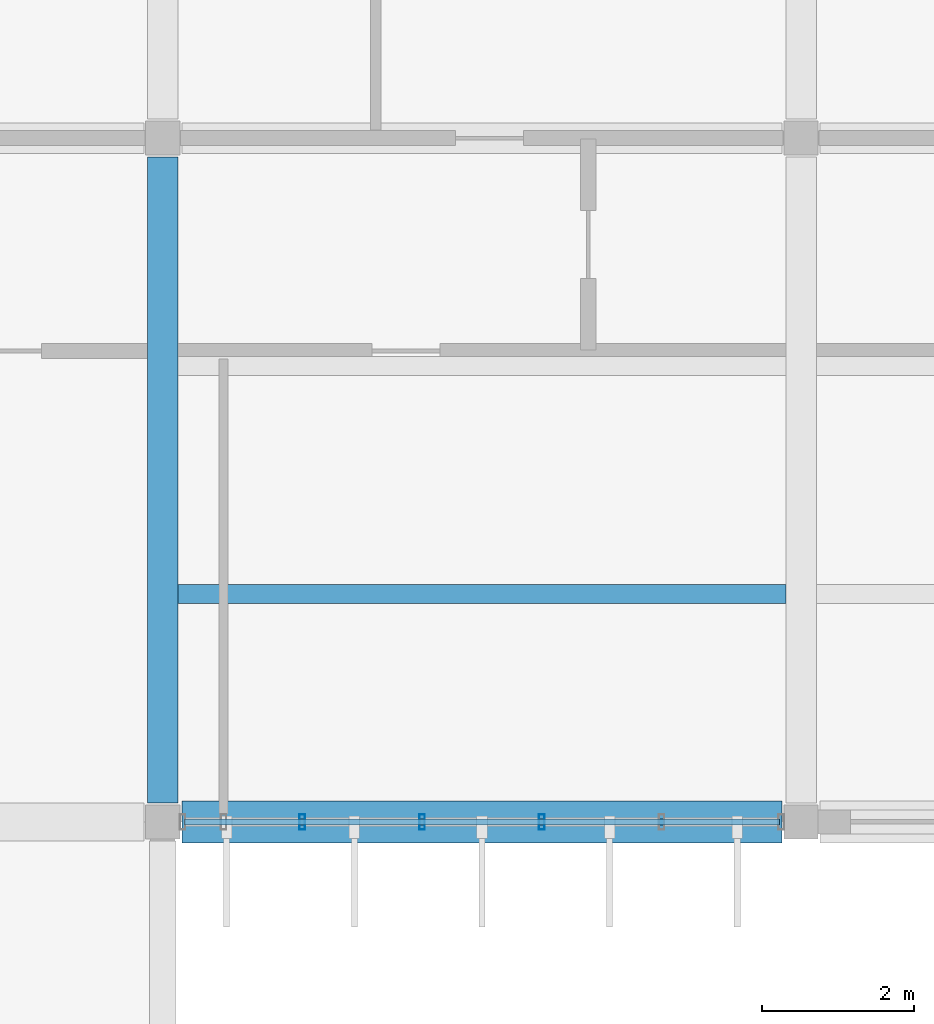
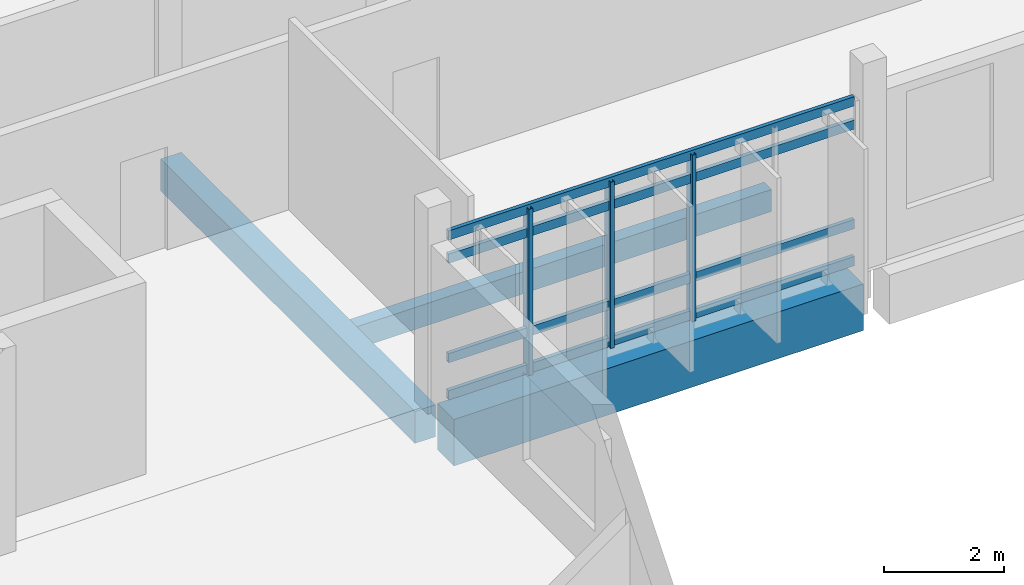
# One storey, part 21 of 62: 7 members, 3 beams, 1 element without a shape of its own.
"""IFC4 building model written with IfcOpenShell, lengths in metres."""

from ifc_helpers import new_model, si_unit, direction, frame, origin, origin_2d, place, context, subcontext, project, spatial, rectangle, hollow_rectangle, extrude, material, layer, layer_set, material_profile, profile_set, type_object, element, aggregate, save


model = new_model("IFC4")

# Units and contexts
model_context = context("Model", 3, precision=1e-05, world=origin(), true_north=direction((0.0, 1.0)))
body_context = subcontext(model_context, "Body", "Model", "MODEL_VIEW")
ifc_project = project(units=[si_unit("LENGTHUNIT", "METRE"), si_unit("AREAUNIT", "SQUARE_METRE"), si_unit("VOLUMEUNIT", "CUBIC_METRE"), si_unit("PLANEANGLEUNIT", "RADIAN"), si_unit("MASSUNIT", "GRAM", prefix="KILO")], contexts=[model_context])

# Site, building, storey
site_placement = place(None, origin())
site = spatial("IfcSite", under=ifc_project, at=site_placement, CompositionType="ELEMENT")
building_placement = place(site_placement, origin())
building = spatial("IfcBuilding", under=site, at=building_placement, Name="Vireocrest Preparatory School", CompositionType="ELEMENT")
storey_placement = place(building_placement, frame((0.0, 0.0, 17.39990234375)))
storey = spatial("IfcBuildingStorey", under=building, at=storey_placement, Name="L04", CompositionType="ELEMENT", Elevation=17.39990234375)

# Curtain wall, members
ifc_material_1 = material(Name="Thermally broken aluminium EN AW-6063-T6", Category="aluminium")
ifc_layer = layer(ifc_material_1, 0.179931640625)
ifc_layer_set = layer_set([ifc_layer], Name="Thermally broken aluminium EN AW-6063-T6")
curtain_wall_type = type_object("IfcCurtainWallType", Name="Side Facade Curtain Wall 9000x4200", PredefinedType="USERDEFINED", material=ifc_layer_set)
curtain_wall_placement = place(storey_placement, origin())
curtain_wall = element("IfcCurtainWall", 1, at=curtain_wall_placement, inside=storey, type_object=curtain_wall_type, Name="Curtain Wall CW07 CW_L04_CW07_0674_0948_174", ObjectType="CURTAIN WALL", PredefinedType="USERDEFINED")
ifc_material_profile_1 = material_profile(ifc_material_1, hollow_rectangle(XDim=0.074951171875, YDim=0.199951171875, WallThickness=0.0048828125, at=origin_2d()), Name="ALU 75x200x5")
ifc_profile_set_1 = profile_set([ifc_material_profile_1], Name="Thermally broken aluminium EN AW-6063-T6")
member_type_1 = type_object("IfcMemberType", Name="CW Mullion 75x200x5", PredefinedType="MULLION", material=ifc_profile_set_1)
member_1_placement = place(storey_placement, frame((69.035888671875, 94.800048828125, 0.0), z_axis=(0.0, 0.0, 1.0), x_axis=(1.0, 0.0, 0.0)))
member_1 = element("IfcMember", 2, at=member_1_placement, type_object=member_type_1, Name="CW Mullion ML3 CW_L04_CW07_0674_0948_174-3", PredefinedType="MULLION", context=body_context, shape_type="SweptSolid", body=[
    extrude(hollow_rectangle(XDim=0.074951171875, YDim=0.199951171875, WallThickness=0.0048828125, at=origin_2d()), origin(), (0.0, 0.0, 1.0), 3.39501953125),
])
member_2_placement = place(storey_placement, frame((70.612060546875, 94.800048828125, 0.0), z_axis=(0.0, 0.0, 1.0), x_axis=(1.0, 0.0, 0.0)))
member_2 = element("IfcMember", 3, at=member_2_placement, type_object=member_type_1, Name="CW Mullion ML3 CW_L04_CW07_0674_0948_174-4", PredefinedType="MULLION", context=body_context, shape_type="SweptSolid", body=[
    extrude(hollow_rectangle(XDim=0.074951171875, YDim=0.199951171875, WallThickness=0.0048828125, at=origin_2d()), origin(), (0.0, 0.0, 1.0), 3.39501953125),
])
member_3_placement = place(storey_placement, frame((72.18798828125, 94.800048828125, 0.0), z_axis=(0.0, 0.0, 1.0), x_axis=(1.0, 0.0, 0.0)))
member_3 = element("IfcMember", 4, at=member_3_placement, type_object=member_type_1, Name="CW Mullion ML3 CW_L04_CW07_0674_0948_174-5", PredefinedType="MULLION", context=body_context, shape_type="SweptSolid", body=[
    extrude(hollow_rectangle(XDim=0.074951171875, YDim=0.199951171875, WallThickness=0.0048828125, at=origin_2d()), origin(), (0.0, 0.0, 1.0), 3.39501953125),
])
ifc_material_profile_2 = material_profile(ifc_material_1, hollow_rectangle(XDim=0.074951171875, YDim=0.18994140625, WallThickness=0.00390625, at=origin_2d()), Name="ALU 75x190x4")
ifc_profile_set_2 = profile_set([ifc_material_profile_2], Name="Thermally broken aluminium EN AW-6063-T6")
member_type_2 = type_object("IfcMemberType", Name="CW Transom 75x190x4", PredefinedType="USERDEFINED", material=ifc_profile_set_2)
member_4_placement = place(storey_placement, frame((67.485107421875, 94.800048828125, 0.09521484375), z_axis=(1.0, 0.0, 0.0), x_axis=(0.0, 1.0, 0.0)))
member_4 = element("IfcMember", 5, at=member_4_placement, type_object=member_type_2, Name="CW Transom TR3 CW_L04_CW07_0674_0948_174-1", ObjectType="TRANSOM", PredefinedType="USERDEFINED", context=body_context, shape_type="SweptSolid", body=[
    extrude(hollow_rectangle(XDim=0.074951171875, YDim=0.18994140625, WallThickness=0.00390625, at=origin_2d()), origin(), (0.0, 0.0, 1.0), 7.829833984375),
])
member_5_placement = place(storey_placement, frame((67.485107421875, 94.800048828125, 0.85009765625), z_axis=(1.0, 0.0, 0.0), x_axis=(0.0, 1.0, 0.0)))
member_5 = element("IfcMember", 6, at=member_5_placement, type_object=member_type_2, Name="CW Transom TR3 CW_L04_CW07_0674_0948_174-2", ObjectType="TRANSOM", PredefinedType="USERDEFINED", context=body_context, shape_type="SweptSolid", body=[
    extrude(hollow_rectangle(XDim=0.074951171875, YDim=0.18994140625, WallThickness=0.00390625, at=origin_2d()), origin(), (0.0, 0.0, 1.0), 7.829833984375),
])
member_6_placement = place(storey_placement, frame((67.485107421875, 94.800048828125, 2.880126953125), z_axis=(1.0, 0.0, 0.0), x_axis=(0.0, 1.0, 0.0)))
member_6 = element("IfcMember", 7, at=member_6_placement, type_object=member_type_2, Name="CW Transom TR3 CW_L04_CW07_0674_0948_174-3", ObjectType="TRANSOM", PredefinedType="USERDEFINED", context=body_context, shape_type="SweptSolid", body=[
    extrude(hollow_rectangle(XDim=0.074951171875, YDim=0.18994140625, WallThickness=0.00390625, at=origin_2d()), origin(), (0.0, 0.0, 1.0), 7.829833984375),
])
member_7_placement = place(storey_placement, frame((67.485107421875, 94.800048828125, 3.35498046875), z_axis=(1.0, 0.0, 0.0), x_axis=(0.0, 1.0, 0.0)))
member_7 = element("IfcMember", 8, at=member_7_placement, type_object=member_type_2, Name="CW Transom TR3 CW_L04_CW07_0674_0948_174-4", ObjectType="TRANSOM", PredefinedType="USERDEFINED", context=body_context, shape_type="SweptSolid", body=[
    extrude(hollow_rectangle(XDim=0.074951171875, YDim=0.18994140625, WallThickness=0.00390625, at=origin_2d()), origin(), (0.0, 0.0, 1.0), 7.829833984375),
])
aggregate(curtain_wall, [member_1, member_2, member_3, member_4, member_5, member_6, member_7])

# Beams
ifc_material_2 = material(Name="Concrete 40 MPa", Category="concrete")
ifc_material_profile_3 = material_profile(ifc_material_2, rectangle(XDim=0.39990234375, YDim=0.64990234375, at=origin_2d()), Name="RC 400x650")
ifc_profile_set_3 = profile_set([ifc_material_profile_3], Name="Concrete 40 MPa")
beam_type_1 = type_object("IfcBeamType", Name="RC Laboratory Girder 400x650", PredefinedType="BEAM", material=ifc_profile_set_3)
beam_1_placement = place(storey_placement, frame((67.199951171875, 95.050048828125, -0.56494140625), z_axis=(0.0, 1.0, 0.0), x_axis=(-1.0, 0.0, 0.0)))
element("IfcBeam", 9, at=beam_1_placement, inside=storey, type_object=beam_type_1, Name="Primary Girder B07 L04-1386", PredefinedType="BEAM", context=body_context, shape_type="SweptSolid", body=[
    extrude(rectangle(XDim=0.39990234375, YDim=0.64990234375, at=origin_2d()), origin(), (0.0, 0.0, 1.0), 8.5),
])
ifc_material_profile_4 = material_profile(ifc_material_2, rectangle(XDim=0.25, YDim=0.449951171875, at=origin_2d()), Name="RC 250x450")
ifc_profile_set_4 = profile_set([ifc_material_profile_4], Name="Concrete 40 MPa")
beam_type_2 = type_object("IfcBeamType", Name="RC Secondary Floor Joist 250x450", PredefinedType="JOIST", material=ifc_profile_set_4)
beam_2_placement = place(storey_placement, frame((67.39990234375, 97.800048828125, -0.46484375), z_axis=(1.0, 0.0, 0.0), x_axis=(0.0, 1.0, 0.0)))
element("IfcBeam", 10, at=beam_2_placement, inside=storey, type_object=beam_type_2, Name="Secondary Joist J01 L04-1469", PredefinedType="JOIST", context=body_context, shape_type="SweptSolid", body=[
    extrude(rectangle(XDim=0.25, YDim=0.449951171875, at=origin_2d()), origin(), (0.0, 0.0, 1.0), 8.0),
])
ifc_material_profile_5 = material_profile(ifc_material_2, rectangle(XDim=0.550048828125, YDim=0.949951171875, at=origin_2d()), Name="RC 550x950")
ifc_profile_set_5 = profile_set([ifc_material_profile_5], Name="Concrete 40 MPa")
beam_type_3 = type_object("IfcBeamType", Name="RC Setback Edge Girder 550x950", PredefinedType="BEAM", material=ifc_profile_set_5)
beam_3_placement = place(storey_placement, frame((67.449951171875, 94.800048828125, -0.71484375), z_axis=(1.0, 0.0, 0.0), x_axis=(0.0, 1.0, 0.0)))
element("IfcBeam", 11, at=beam_3_placement, inside=storey, type_object=beam_type_3, Name="Primary Girder B17 L04-1329", PredefinedType="BEAM", context=body_context, shape_type="SweptSolid", body=[
    extrude(rectangle(XDim=0.550048828125, YDim=0.949951171875, at=origin_2d()), origin(), (0.0, 0.0, 1.0), 7.900146484375),
])

save(model, "model.ifc")
